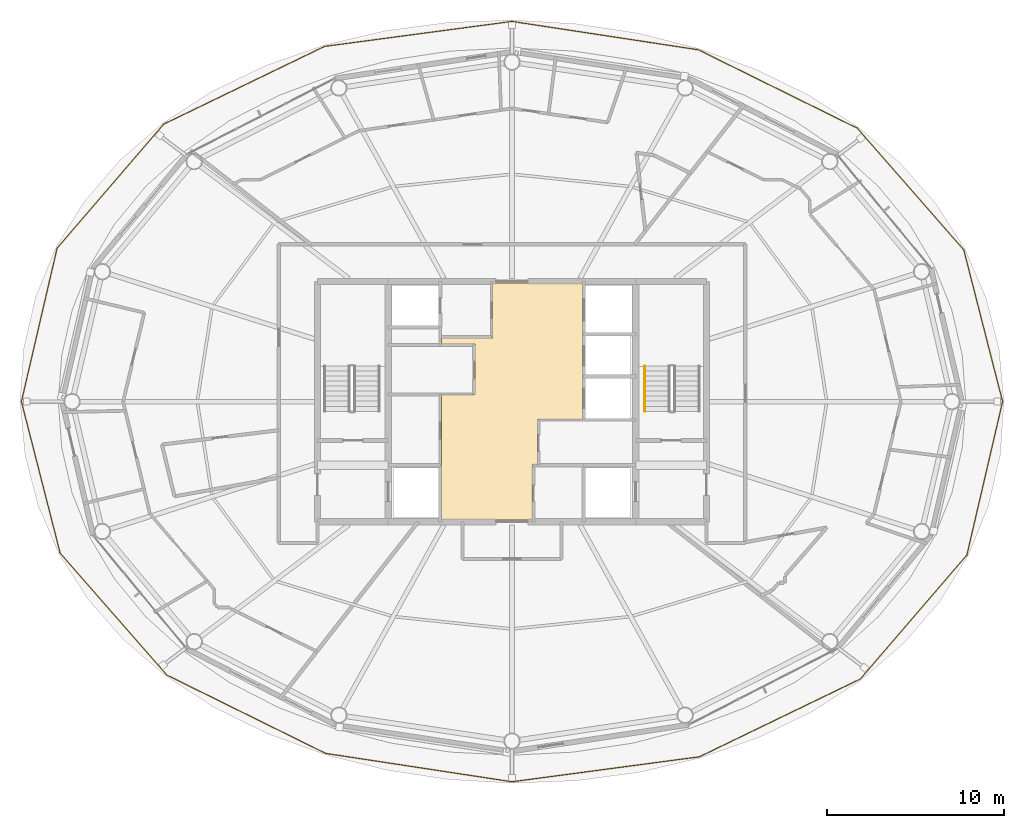
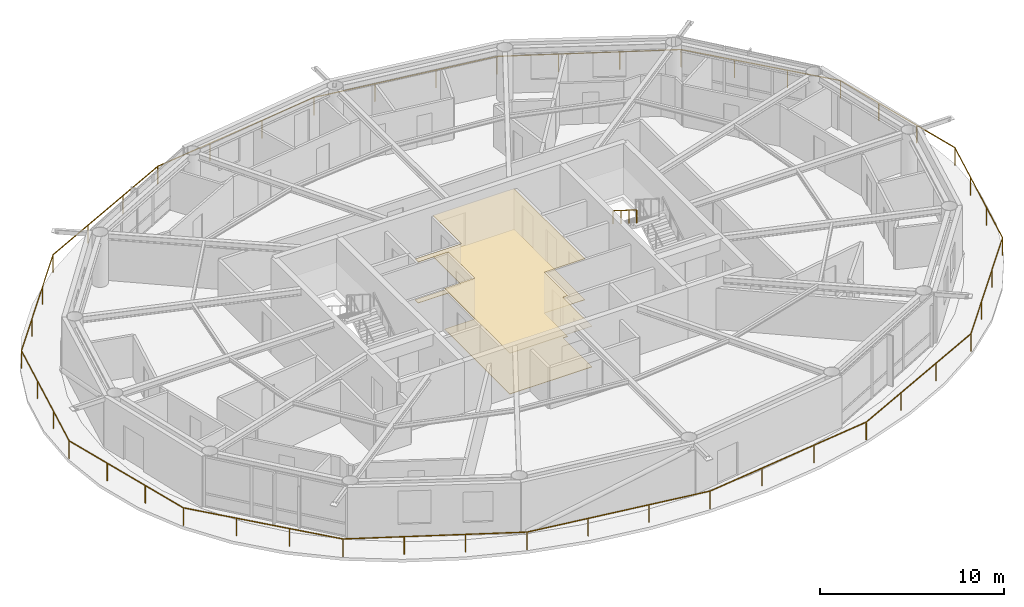
# One storey, part 21 of 22: 2 coverings, 2 railings.
"""IFC4 building model written with IfcOpenShell, lengths in metres."""

import ifcopenshell
import ifcopenshell.guid

model = None  # the IFC model being written
_history = None  # IfcOwnerHistory: only IFC2X3 demands one
_inside = {}  # id of a spatial element -> (the spatial element, [elements in it])
_under = {}  # id of a project, library or spatial element -> (it, [spatial elements below it])
_declared = {}  # id of a project -> (the project, [libraries it declares])
_typed = {}  # id of a type object -> (the type object, [elements of that type])
_made_of = {}  # id of a material, layer set ... -> (it, [elements and type objects made of it])


def new_model(schema):
    """Start an empty IFC model of exactly this schema.

    Asked for "IFC4X3", IfcOpenShell would pick the latest addendum, in which some entities
    have other attributes; the version numbers below select the first issue.
    IFC2X3 requires an IfcOwnerHistory on every rooted entity: one is made here for all.
    """
    global model, _history
    if schema == "IFC4X3":
        model = ifcopenshell.file(schema_version=(4, 3, 0, 0))
    else:
        model = ifcopenshell.file(schema=schema)
    _inside.clear()
    _under.clear()
    _declared.clear()
    _typed.clear()
    _made_of.clear()
    _history = None
    if model.schema == "IFC2X3":
        org = make("IfcOrganization", Name="unknown")
        user = make(
            "IfcPersonAndOrganization",
            ThePerson=make("IfcPerson", FamilyName="unknown"),
            TheOrganization=org,
        )
        app = make(
            "IfcApplication",
            ApplicationDeveloper=org,
            Version="unknown",
            ApplicationFullName="unknown",
            ApplicationIdentifier="unknown",
        )
        _history = make(
            "IfcOwnerHistory",
            OwningUser=user,
            OwningApplication=app,
            ChangeAction="ADDED",
            CreationDate=0,
        )
    return model


def make(cls, **values):
    """One entity of the class cls with the attributes given. An attribute that is None is left unset."""
    return model.create_entity(
        cls, **{name: value for name, value in values.items() if value is not None}
    )


def rooted(cls, **values):
    """An entity with a GlobalId (a new one), such as an element, a storey or a relation."""
    return make(cls, GlobalId=ifcopenshell.guid.new(), OwnerHistory=_history, **values)


def si_unit(unit_type, name, prefix=None):
    """IfcSIUnit, for example si_unit("LENGTHUNIT", "METRE", prefix="MILLI")."""
    return make("IfcSIUnit", UnitType=unit_type, Prefix=prefix, Name=name)


def assignment(units):
    """IfcUnitAssignment: the units of a project."""
    return None if units is None else make("IfcUnitAssignment", Units=units)


def point(xyz):
    """IfcCartesianPoint."""
    return None if xyz is None else make("IfcCartesianPoint", Coordinates=xyz)


def direction(xyz):
    """IfcDirection."""
    return None if xyz is None else make("IfcDirection", DirectionRatios=xyz)


def frame(location, z_axis=None, x_axis=None):
    """IfcAxis2Placement3D, a coordinate frame: its origin and axes. An axis left out is left unset."""
    return make(
        "IfcAxis2Placement3D",
        Location=point(location),
        Axis=direction(z_axis),
        RefDirection=direction(x_axis),
    )


def frame_2d(location, x_axis=None):
    """IfcAxis2Placement2D, a coordinate frame in the plane: its origin and x axis."""
    return make(
        "IfcAxis2Placement2D", Location=point(location), RefDirection=direction(x_axis)
    )


def origin():
    """The frame at (0, 0, 0) with its axes left unset."""
    return frame((0.0, 0.0, 0.0))


def origin_2d():
    """The frame at (0, 0) in the plane with its x axis left unset."""
    return frame_2d((0.0, 0.0))


def place(relative_to, where):
    """IfcLocalPlacement: puts the frame where relative to a parent placement (None: the world)."""
    return make(
        "IfcLocalPlacement", PlacementRelTo=relative_to, RelativePlacement=where
    )


def context(
    kind, dimensions, precision=None, world=None, true_north=None, identifier=None
):
    """IfcGeometricRepresentationContext, for example the 3D "Model" context."""
    return make(
        "IfcGeometricRepresentationContext",
        ContextIdentifier=identifier,
        ContextType=kind,
        CoordinateSpaceDimension=dimensions,
        Precision=precision,
        WorldCoordinateSystem=world,
        TrueNorth=true_north,
    )


def subcontext(parent, identifier, kind, view, scale=None):
    """IfcGeometricRepresentationSubContext, for example "Body" below "Model"."""
    return make(
        "IfcGeometricRepresentationSubContext",
        ContextIdentifier=identifier,
        ContextType=kind,
        ParentContext=parent,
        TargetScale=scale,
        TargetView=view,
    )


def project(units=None, contexts=None):
    """IfcProject with its units and contexts."""
    return rooted(
        "IfcProject",
        Name="project",
        RepresentationContexts=contexts,
        UnitsInContext=assignment(units),
    )


def spatial(cls, under=None, at=None, **own):
    """A site, building, storey or space (cls), placed at a placement, below another one or the project."""
    s = rooted(cls, ObjectPlacement=at, **own)
    if under is not None:
        _under.setdefault(under.id(), (under, []))[1].append(s)
    return s


def polyline(points):
    """IfcPolyline through the points."""
    return make("IfcPolyline", Points=[point(p) for p in points])


def profile(cls, at=None, kind="AREA", **sizes):
    """A parametric profile (cls). Its sizes go by their IFC names, for example OverallWidth=200.0."""
    return make(cls, ProfileType=kind, Position=at, **sizes)


def rectangle(**sizes):
    """IfcRectangleProfileDef."""
    return profile("IfcRectangleProfileDef", **sizes)


def outline(outer, holes=None, kind="AREA"):
    """IfcArbitraryClosedProfileDef: a profile drawn as a closed curve; with holes, ...WithVoids."""
    if holes is None:
        return make("IfcArbitraryClosedProfileDef", ProfileType=kind, OuterCurve=outer)
    return make(
        "IfcArbitraryProfileDefWithVoids",
        ProfileType=kind,
        OuterCurve=outer,
        InnerCurves=holes,
    )


def extrude(swept, where, along, depth):
    """IfcExtrudedAreaSolid: the profile swept, set in the frame where, extruded along a direction by depth."""
    return make(
        "IfcExtrudedAreaSolid",
        SweptArea=swept,
        Position=where,
        ExtrudedDirection=direction(along),
        Depth=depth,
    )


def shape(context_of_items, identifier, shape_type, items):
    """IfcShapeRepresentation: the items that make up one representation, for example the "Body"."""
    return make(
        "IfcShapeRepresentation",
        ContextOfItems=context_of_items,
        RepresentationIdentifier=identifier,
        RepresentationType=shape_type,
        Items=items,
    )


def material(Name=None, Category=None):
    """IfcMaterial."""
    return make("IfcMaterial", Name=Name, Category=Category)


def layer(
    of_material, thickness, ventilated=None, Name=None, Category=None, Priority=None
):
    """IfcMaterialLayer: one layer of a wall or slab, of a material (None: an air gap)."""
    return make(
        "IfcMaterialLayer",
        Material=of_material,
        LayerThickness=thickness,
        IsVentilated=ventilated,
        Name=Name,
        Category=Category,
        Priority=Priority,
    )


def layer_set(layers, Name=None):
    """IfcMaterialLayerSet."""
    return make("IfcMaterialLayerSet", MaterialLayers=layers, LayerSetName=Name)


def made_of(thing, what):
    """Note that an element or type object is made of a material, layer set ...; save() writes the relation."""
    if what is not None:
        _made_of.setdefault(what.id(), (what, []))[1].append(thing)
    return thing


def type_object(cls, material=None, **own):
    """A type object (cls), such as IfcWallType, which elements share."""
    return made_of(rooted(cls, **own), material)


def element(
    cls,
    number,
    at=None,
    inside=None,
    cuts=None,
    type_object=None,
    material=None,
    context=None,
    identifier="Body",
    shape_type=None,
    held_by="IfcProductDefinitionShape",
    body=None,
    shapes=None,
    **own,
):
    """One element of the class cls, such as IfcWall. Its Tag is "e" and its number.

    at: its placement. inside: the storey or other place that contains it. cuts: it is an
    opening in that element (IfcRelVoidsElement). A single representation is given by context,
    identifier, shape_type and body (its items); several are given by shapes. held_by: the class
    of the entity that holds the representations. save() writes the other relations.
    """
    e = rooted(cls, Tag="e%d" % number, ObjectPlacement=at, **own)
    if body is not None:
        shapes = [shape(context, identifier, shape_type, body)]
    if shapes is not None:
        e.Representation = make(held_by, Representations=shapes)
    if inside is not None:
        _inside.setdefault(inside.id(), (inside, []))[1].append(e)
    if cuts is not None:
        rooted(
            "IfcRelVoidsElement", RelatingBuildingElement=cuts, RelatedOpeningElement=e
        )
    if type_object is not None:
        _typed.setdefault(type_object.id(), (type_object, []))[1].append(e)
    return made_of(e, material)


def aggregate(whole, parts):
    """IfcRelAggregates: a whole, such as a stair, and the parts it consists of."""
    return rooted("IfcRelAggregates", RelatingObject=whole, RelatedObjects=parts)


def save(model, path):
    """Write the relations noted so far, then the file.

    IfcRelAggregates (storeys below a building ...), IfcRelContainedInSpatialStructure (elements
    in a storey), IfcRelDefinesByType, IfcRelAssociatesMaterial and IfcRelDeclares: one each for
    every whole, place, type object, material and project.
    """
    for whole, parts in _under.values():
        aggregate(whole, parts)
    for where, things in _inside.values():
        rooted(
            "IfcRelContainedInSpatialStructure",
            RelatedElements=things,
            RelatingStructure=where,
        )
    for kind, things in _typed.values():
        rooted("IfcRelDefinesByType", RelatedObjects=things, RelatingType=kind)
    for what, things in _made_of.values():
        rooted("IfcRelAssociatesMaterial", RelatedObjects=things, RelatingMaterial=what)
    for by, libraries in _declared.values():
        rooted("IfcRelDeclares", RelatingContext=by, RelatedDefinitions=libraries)
    model.write(path)


model = new_model("IFC4")

# Units and contexts
model_context = context("Model", 3, precision=1e-05, world=origin(), true_north=direction((0.0, 1.0)))
body_context = subcontext(model_context, "Body", "Model", "MODEL_VIEW")
ifc_project = project(units=[si_unit("LENGTHUNIT", "METRE"), si_unit("AREAUNIT", "SQUARE_METRE"), si_unit("VOLUMEUNIT", "CUBIC_METRE"), si_unit("PLANEANGLEUNIT", "RADIAN"), si_unit("MASSUNIT", "GRAM", prefix="KILO")], contexts=[model_context])

# Site, building, storey
site_placement = place(None, origin())
site = spatial("IfcSite", under=ifc_project, at=site_placement, CompositionType="ELEMENT")
building_placement = place(site_placement, origin())
building = spatial("IfcBuilding", under=site, at=building_placement, Name="Sarneth Arch Tower", CompositionType="ELEMENT")
storey_placement = place(building_placement, frame((0.0, 0.0, 301.800048828125)))
storey = spatial("IfcBuildingStorey", under=building, at=storey_placement, Name="L78", CompositionType="ELEMENT", Elevation=301.800048828125)

# Coverings
ifc_material_1 = material(Name="Perforated acoustic gypsum ceiling board")
ifc_layer_1 = layer(ifc_material_1, 0.02490234375)
ifc_layer_set_1 = layer_set([ifc_layer_1], Name="Perforated acoustic gypsum ceiling board")
covering_type_1 = type_object("IfcCoveringType", Name="COV-CEIL-GYP", PredefinedType="CEILING", material=ifc_layer_set_1)
covering_1_placement = place(storey_placement, frame((0.0, 0.0, 2.699951171875)))
element("IfcCovering", 1, at=covering_1_placement, inside=storey, type_object=covering_type_1, Name="L78 Lift lobby acoustic ceiling", PredefinedType="CEILING", context=body_context, shape_type="SweptSolid", body=[
    extrude(outline(polyline([(49.449951171875, 41.0), (49.449951171875, 38.449951171875), (49.14990234375, 38.449951171875), (49.14990234375, 35.300048828125), (44.0, 35.300048828125), (44.0, 42.39990234375), (45.89990234375, 42.39990234375), (45.89990234375, 45.25), (44.0, 45.25), (44.0, 45.60009765625), (46.89990234375, 45.60009765625), (46.89990234375, 48.699951171875), (52.0, 48.699951171875), (52.0, 41.0), (49.449951171875, 41.0)])), origin(), (0.0, 0.0, 1.0), 0.030029296875),
])
ifc_material_2 = material(Name="Honed granite stone flooring", Category="masonry")
ifc_layer_2 = layer(ifc_material_2, 0.030029296875)
ifc_layer_set_2 = layer_set([ifc_layer_2], Name="Honed granite stone flooring")
covering_type_2 = type_object("IfcCoveringType", Name="COV-FLR-STONE", PredefinedType="FLOORING", material=ifc_layer_set_2)
covering_2_placement = place(storey_placement, origin())
element("IfcCovering", 2, at=covering_2_placement, inside=storey, type_object=covering_type_2, Name="L78 Lift lobby granite flooring", PredefinedType="FLOORING", context=body_context, shape_type="SweptSolid", body=[
    extrude(outline(polyline([(49.449951171875, 41.0), (49.449951171875, 38.449951171875), (49.14990234375, 38.449951171875), (49.14990234375, 35.300048828125), (44.0, 35.300048828125), (44.0, 42.39990234375), (45.89990234375, 42.39990234375), (45.89990234375, 45.25), (44.0, 45.25), (44.0, 45.60009765625), (46.89990234375, 45.60009765625), (46.89990234375, 48.699951171875), (52.0, 48.699951171875), (52.0, 41.0), (49.449951171875, 41.0)])), origin(), (0.0, 0.0, 1.0), 0.030029296875),
])

# Railings
ifc_material_3 = material(Name="Laminated structural glass infill with Stainless Steel 316 top rail and posts", Category="steel")
railing_type_1 = type_object("IfcRailingType", Name="RAIL-BALC-1200", PredefinedType="BALUSTRADE", material=ifc_material_3)
railing_1_placement = place(storey_placement, frame((75.747802734375, 42.0, 0.0)))
element("IfcRailing", 3, at=railing_1_placement, inside=storey, type_object=railing_type_1, Name="L78 Helical balcony glass balustrade", PredefinedType="BALUSTRADE", context=body_context, shape_type="SweptSolid", body=[
    extrude(rectangle(XDim=0.048095703125, YDim=0.048095703125, at=origin_2d()), frame((0.0, 0.0, 1.17578125), z_axis=(-0.247850699418, 0.968798240501, 0.0), x_axis=(-0.968798240501, -0.247850699418, 0.0)), (0.0, 0.0, 1.0), 8.8564453125),
    extrude(rectangle(XDim=0.048095703125, YDim=0.048095703125, at=origin_2d()), frame((-2.195068359375, 8.580078125, 1.17578125), z_axis=(-0.658517837259, 0.752565118785, 0.0), x_axis=(-0.752565118785, -0.658517837259, 0.0)), (0.0, 0.0, 1.0), 9.1455078125),
    extrude(rectangle(XDim=0.048095703125, YDim=0.048095703125, at=origin_2d()), frame((-8.217529296875, 15.462646484375, 1.17578125), z_axis=(-0.896791967032, 0.442452447011, 0.0), x_axis=(-0.442452447011, -0.896791967032, 0.0)), (0.0, 0.0, 1.0), 10.022705078125),
    extrude(rectangle(XDim=0.048095703125, YDim=0.048095703125, at=origin_2d()), frame((-17.205810546875, 19.897216796875, 1.17578125), z_axis=(-0.98859795283, 0.150579174057, 0.0), x_axis=(-0.150579174057, -0.98859795283, 0.0)), (0.0, 0.0, 1.0), 10.66357421875),
    extrude(rectangle(XDim=0.048095703125, YDim=0.048095703125, at=origin_2d()), frame((-27.747802734375, 21.5029296875, 1.17578125), z_axis=(-0.99122869805, -0.132157739694, 0.0), x_axis=(0.132157739694, -0.99122869805, 0.0)), (0.0, 0.0, 1.0), 10.696044921875),
    extrude(rectangle(XDim=0.048095703125, YDim=0.048095703125, at=origin_2d()), frame((-38.35009765625, 20.08935546875, 1.17578125), z_axis=(-0.900314089542, -0.435240784132, 0.0), x_axis=(0.435240784132, -0.900314089542, 0.0)), (0.0, 0.0, 1.0), 10.10693359375),
    extrude(rectangle(XDim=0.048095703125, YDim=0.048095703125, at=origin_2d()), frame((-47.449462890625, 15.6904296875, 1.17578125), z_axis=(-0.651812779707, -0.758379918122, 0.0), x_axis=(0.758379918122, -0.651812779707, 0.0)), (0.0, 0.0, 1.0), 9.246337890625),
    extrude(rectangle(XDim=0.048095703125, YDim=0.048095703125, at=origin_2d()), frame((-53.476318359375, 8.67822265625, 1.17578125), z_axis=(-0.226630166911, -0.973980886592, 0.0), x_axis=(0.973980886592, -0.226630166911, 0.0)), (0.0, 0.0, 1.0), 8.91015625),
    extrude(rectangle(XDim=0.048095703125, YDim=0.048095703125, at=origin_2d()), frame((-55.49560546875, 0.0, 1.17578125), z_axis=(0.247850699418, -0.968798240501, 0.0), x_axis=(0.968798240501, 0.247850699418, 0.0)), (0.0, 0.0, 1.0), 8.8564453125),
    extrude(rectangle(XDim=0.048095703125, YDim=0.048095703125, at=origin_2d()), frame((-53.300537109375, -8.580078125, 1.17578125), z_axis=(0.658517837259, -0.752565118785, 0.0), x_axis=(0.752565118785, 0.658517837259, 0.0)), (0.0, 0.0, 1.0), 9.1455078125),
    extrude(rectangle(XDim=0.048095703125, YDim=0.048095703125, at=origin_2d()), frame((-47.278076171875, -15.462646484375, 1.17578125), z_axis=(0.896791967032, -0.442452447011, 0.0), x_axis=(0.442452447011, 0.896791967032, 0.0)), (0.0, 0.0, 1.0), 10.022705078125),
    extrude(rectangle(XDim=0.048095703125, YDim=0.048095703125, at=origin_2d()), frame((-38.289794921875, -19.897216796875, 1.17578125), z_axis=(0.98859795283, -0.150579174057, 0.0), x_axis=(0.150579174057, 0.98859795283, 0.0)), (0.0, 0.0, 1.0), 10.66357421875),
    extrude(rectangle(XDim=0.048095703125, YDim=0.048095703125, at=origin_2d()), frame((-27.747802734375, -21.5029296875, 1.17578125), z_axis=(0.99122869805, 0.132157739694, 0.0), x_axis=(-0.132157739694, 0.99122869805, 0.0)), (0.0, 0.0, 1.0), 10.696044921875),
    extrude(rectangle(XDim=0.048095703125, YDim=0.048095703125, at=origin_2d()), frame((-17.1455078125, -20.08935546875, 1.17578125), z_axis=(0.900314089542, 0.435240784132, 0.0), x_axis=(-0.435240784132, 0.900314089542, 0.0)), (0.0, 0.0, 1.0), 10.10693359375),
    extrude(rectangle(XDim=0.048095703125, YDim=0.048095703125, at=origin_2d()), frame((-8.046142578125, -15.6904296875, 1.17578125), z_axis=(0.651812779707, 0.758379918122, 0.0), x_axis=(-0.758379918122, 0.651812779707, 0.0)), (0.0, 0.0, 1.0), 9.246337890625),
    extrude(rectangle(XDim=0.048095703125, YDim=0.048095703125, at=origin_2d()), frame((-2.019287109375, -8.67822265625, 1.17578125), z_axis=(0.226630166911, 0.973980886592, 0.0), x_axis=(-0.973980886592, 0.226630166911, 0.0)), (0.0, 0.0, 1.0), 8.91015625),
    extrude(rectangle(XDim=0.0419921875, YDim=0.0419921875, at=origin_2d()), origin(), (0.0, 0.0, 1.0), 1.15185546875),
    extrude(rectangle(XDim=0.0419921875, YDim=0.0419921875, at=origin_2d()), frame((-0.731689453125, 2.860107421875, 0.0)), (0.0, 0.0, 1.0), 1.15185546875),
    extrude(rectangle(XDim=0.0419921875, YDim=0.0419921875, at=origin_2d()), frame((-1.46337890625, 5.719970703125, 0.0)), (0.0, 0.0, 1.0), 1.15185546875),
    extrude(rectangle(XDim=0.0419921875, YDim=0.0419921875, at=origin_2d()), frame((-2.195068359375, 8.580078125, 0.0)), (0.0, 0.0, 1.0), 1.15185546875),
    extrude(rectangle(XDim=0.0419921875, YDim=0.0419921875, at=origin_2d()), frame((-4.20263671875, 10.874267578125, 0.0)), (0.0, 0.0, 1.0), 1.15185546875),
    extrude(rectangle(XDim=0.0419921875, YDim=0.0419921875, at=origin_2d()), frame((-6.2099609375, 13.16845703125, 0.0)), (0.0, 0.0, 1.0), 1.15185546875),
    extrude(rectangle(XDim=0.0419921875, YDim=0.0419921875, at=origin_2d()), frame((-8.217529296875, 15.462646484375, 0.0)), (0.0, 0.0, 1.0), 1.15185546875),
    extrude(rectangle(XDim=0.0419921875, YDim=0.0419921875, at=origin_2d()), frame((-11.213623046875, 16.94091796875, 0.0)), (0.0, 0.0, 1.0), 1.15185546875),
    extrude(rectangle(XDim=0.0419921875, YDim=0.0419921875, at=origin_2d()), frame((-14.209716796875, 18.4189453125, 0.0)), (0.0, 0.0, 1.0), 1.15185546875),
    extrude(rectangle(XDim=0.0419921875, YDim=0.0419921875, at=origin_2d()), frame((-17.205810546875, 19.897216796875, 0.0)), (0.0, 0.0, 1.0), 1.15185546875),
    extrude(rectangle(XDim=0.0419921875, YDim=0.0419921875, at=origin_2d()), frame((-20.7197265625, 20.432373046875, 0.0)), (0.0, 0.0, 1.0), 1.15185546875),
    extrude(rectangle(XDim=0.0419921875, YDim=0.0419921875, at=origin_2d()), frame((-24.23388671875, 20.9677734375, 0.0)), (0.0, 0.0, 1.0), 1.15185546875),
    extrude(rectangle(XDim=0.0419921875, YDim=0.0419921875, at=origin_2d()), frame((-27.747802734375, 21.5029296875, 0.0)), (0.0, 0.0, 1.0), 1.15185546875),
    extrude(rectangle(XDim=0.0419921875, YDim=0.0419921875, at=origin_2d()), frame((-31.281982421875, 21.03173828125, 0.0)), (0.0, 0.0, 1.0), 1.15185546875),
    extrude(rectangle(XDim=0.0419921875, YDim=0.0419921875, at=origin_2d()), frame((-34.81591796875, 20.560546875, 0.0)), (0.0, 0.0, 1.0), 1.15185546875),
    extrude(rectangle(XDim=0.0419921875, YDim=0.0419921875, at=origin_2d()), frame((-38.35009765625, 20.08935546875, 0.0)), (0.0, 0.0, 1.0), 1.15185546875),
    extrude(rectangle(XDim=0.0419921875, YDim=0.0419921875, at=origin_2d()), frame((-41.38330078125, 18.623046875, 0.0)), (0.0, 0.0, 1.0), 1.15185546875),
    extrude(rectangle(XDim=0.0419921875, YDim=0.0419921875, at=origin_2d()), frame((-44.416259765625, 17.15673828125, 0.0)), (0.0, 0.0, 1.0), 1.15185546875),
    extrude(rectangle(XDim=0.0419921875, YDim=0.0419921875, at=origin_2d()), frame((-47.449462890625, 15.6904296875, 0.0)), (0.0, 0.0, 1.0), 1.15185546875),
    extrude(rectangle(XDim=0.0419921875, YDim=0.0419921875, at=origin_2d()), frame((-49.45849609375, 13.35302734375, 0.0)), (0.0, 0.0, 1.0), 1.15185546875),
    extrude(rectangle(XDim=0.0419921875, YDim=0.0419921875, at=origin_2d()), frame((-51.46728515625, 11.015625, 0.0)), (0.0, 0.0, 1.0), 1.15185546875),
    extrude(rectangle(XDim=0.0419921875, YDim=0.0419921875, at=origin_2d()), frame((-53.476318359375, 8.67822265625, 0.0)), (0.0, 0.0, 1.0), 1.15185546875),
    extrude(rectangle(XDim=0.0419921875, YDim=0.0419921875, at=origin_2d()), frame((-54.1494140625, 5.785400390625, 0.0)), (0.0, 0.0, 1.0), 1.15185546875),
    extrude(rectangle(XDim=0.0419921875, YDim=0.0419921875, at=origin_2d()), frame((-54.822509765625, 2.892822265625, 0.0)), (0.0, 0.0, 1.0), 1.15185546875),
    extrude(rectangle(XDim=0.0419921875, YDim=0.0419921875, at=origin_2d()), frame((-55.49560546875, 0.0, 0.0)), (0.0, 0.0, 1.0), 1.15185546875),
    extrude(rectangle(XDim=0.0419921875, YDim=0.0419921875, at=origin_2d()), frame((-54.763916015625, -2.860107421875, 0.0)), (0.0, 0.0, 1.0), 1.15185546875),
    extrude(rectangle(XDim=0.0419921875, YDim=0.0419921875, at=origin_2d()), frame((-54.0322265625, -5.719970703125, 0.0)), (0.0, 0.0, 1.0), 1.15185546875),
    extrude(rectangle(XDim=0.0419921875, YDim=0.0419921875, at=origin_2d()), frame((-53.300537109375, -8.580078125, 0.0)), (0.0, 0.0, 1.0), 1.15185546875),
    extrude(rectangle(XDim=0.0419921875, YDim=0.0419921875, at=origin_2d()), frame((-51.29296875, -10.874267578125, 0.0)), (0.0, 0.0, 1.0), 1.15185546875),
    extrude(rectangle(XDim=0.0419921875, YDim=0.0419921875, at=origin_2d()), frame((-49.28564453125, -13.16845703125, 0.0)), (0.0, 0.0, 1.0), 1.15185546875),
    extrude(rectangle(XDim=0.0419921875, YDim=0.0419921875, at=origin_2d()), frame((-47.278076171875, -15.462646484375, 0.0)), (0.0, 0.0, 1.0), 1.15185546875),
    extrude(rectangle(XDim=0.0419921875, YDim=0.0419921875, at=origin_2d()), frame((-44.281982421875, -16.94091796875, 0.0)), (0.0, 0.0, 1.0), 1.15185546875),
    extrude(rectangle(XDim=0.0419921875, YDim=0.0419921875, at=origin_2d()), frame((-41.285888671875, -18.4189453125, 0.0)), (0.0, 0.0, 1.0), 1.15185546875),
    extrude(rectangle(XDim=0.0419921875, YDim=0.0419921875, at=origin_2d()), frame((-38.289794921875, -19.897216796875, 0.0)), (0.0, 0.0, 1.0), 1.15185546875),
    extrude(rectangle(XDim=0.0419921875, YDim=0.0419921875, at=origin_2d()), frame((-34.77587890625, -20.432373046875, 0.0)), (0.0, 0.0, 1.0), 1.15185546875),
    extrude(rectangle(XDim=0.0419921875, YDim=0.0419921875, at=origin_2d()), frame((-31.26171875, -20.9677734375, 0.0)), (0.0, 0.0, 1.0), 1.15185546875),
    extrude(rectangle(XDim=0.0419921875, YDim=0.0419921875, at=origin_2d()), frame((-27.747802734375, -21.5029296875, 0.0)), (0.0, 0.0, 1.0), 1.15185546875),
    extrude(rectangle(XDim=0.0419921875, YDim=0.0419921875, at=origin_2d()), frame((-24.213623046875, -21.03173828125, 0.0)), (0.0, 0.0, 1.0), 1.15185546875),
    extrude(rectangle(XDim=0.0419921875, YDim=0.0419921875, at=origin_2d()), frame((-20.6796875, -20.560546875, 0.0)), (0.0, 0.0, 1.0), 1.15185546875),
    extrude(rectangle(XDim=0.0419921875, YDim=0.0419921875, at=origin_2d()), frame((-17.1455078125, -20.08935546875, 0.0)), (0.0, 0.0, 1.0), 1.15185546875),
    extrude(rectangle(XDim=0.0419921875, YDim=0.0419921875, at=origin_2d()), frame((-14.1123046875, -18.623046875, 0.0)), (0.0, 0.0, 1.0), 1.15185546875),
    extrude(rectangle(XDim=0.0419921875, YDim=0.0419921875, at=origin_2d()), frame((-11.079345703125, -17.15673828125, 0.0)), (0.0, 0.0, 1.0), 1.15185546875),
    extrude(rectangle(XDim=0.0419921875, YDim=0.0419921875, at=origin_2d()), frame((-8.046142578125, -15.6904296875, 0.0)), (0.0, 0.0, 1.0), 1.15185546875),
    extrude(rectangle(XDim=0.0419921875, YDim=0.0419921875, at=origin_2d()), frame((-6.037109375, -13.35302734375, 0.0)), (0.0, 0.0, 1.0), 1.15185546875),
    extrude(rectangle(XDim=0.0419921875, YDim=0.0419921875, at=origin_2d()), frame((-4.0283203125, -11.015625, 0.0)), (0.0, 0.0, 1.0), 1.15185546875),
    extrude(rectangle(XDim=0.0419921875, YDim=0.0419921875, at=origin_2d()), frame((-2.019287109375, -8.67822265625, 0.0)), (0.0, 0.0, 1.0), 1.15185546875),
    extrude(rectangle(XDim=0.0419921875, YDim=0.0419921875, at=origin_2d()), frame((-1.34619140625, -5.785400390625, 0.0)), (0.0, 0.0, 1.0), 1.15185546875),
    extrude(rectangle(XDim=0.0419921875, YDim=0.0419921875, at=origin_2d()), frame((-0.673095703125, -2.892822265625, 0.0)), (0.0, 0.0, 1.0), 1.15185546875),
])
ifc_material_4 = material(Name="Brushed Stainless Steel 304 tubular handrail", Category="steel")
railing_type_2 = type_object("IfcRailingType", Name="RAIL-HANDRAIL-900", PredefinedType="HANDRAIL", material=ifc_material_4)
railing_2_placement = place(storey_placement, frame((55.5, 44.014892578125, 1.97998046875)))
element("IfcRailing", 4, at=railing_2_placement, inside=storey, type_object=railing_type_2, Name="L78 ST-2 stair handrail 2", PredefinedType="HANDRAIL", context=body_context, shape_type="SweptSolid", body=[
    extrude(rectangle(XDim=0.048095703125, YDim=0.048095703125, at=origin_2d()), frame((0.0, 0.0, 0.8759765625), z_axis=(0.0, -0.845502289212, 0.533971796014), x_axis=(1.0, 0.0, 0.0)), (0.0, 0.0, 1.0), 3.03369140625),
    extrude(rectangle(XDim=0.0419921875, YDim=0.0419921875, at=origin_2d()), origin(), (0.0, 0.0, 1.0), 0.851806640625),
    extrude(rectangle(XDim=0.0419921875, YDim=0.0419921875, at=origin_2d()), frame((0.0, -0.85498046875, 0.5400390625)), (0.0, 0.0, 1.0), 0.851806640625),
    extrude(rectangle(XDim=0.0419921875, YDim=0.0419921875, at=origin_2d()), frame((0.0, -1.7099609375, 1.079833984375)), (0.0, 0.0, 1.0), 0.851806640625),
    extrude(rectangle(XDim=0.0419921875, YDim=0.0419921875, at=origin_2d()), frame((0.0, -2.56494140625, 1.619873046875)), (0.0, 0.0, 1.0), 0.851806640625),
])

save(model, "model.ifc")
